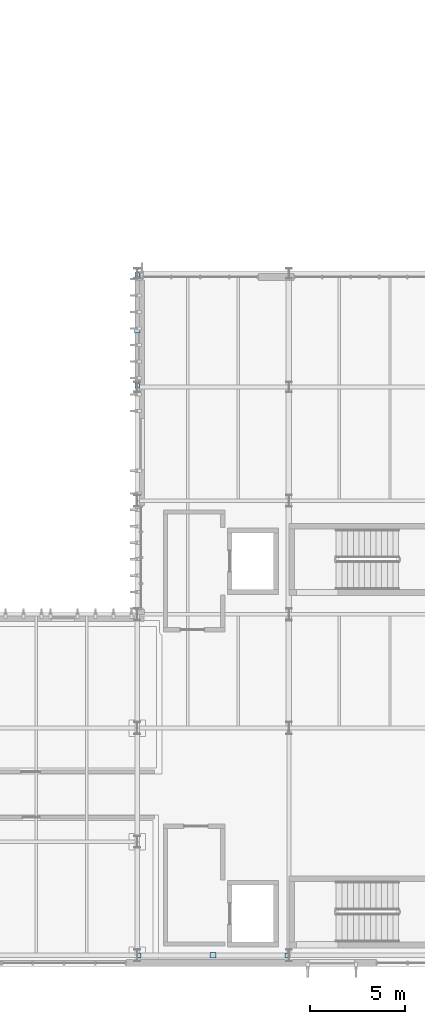
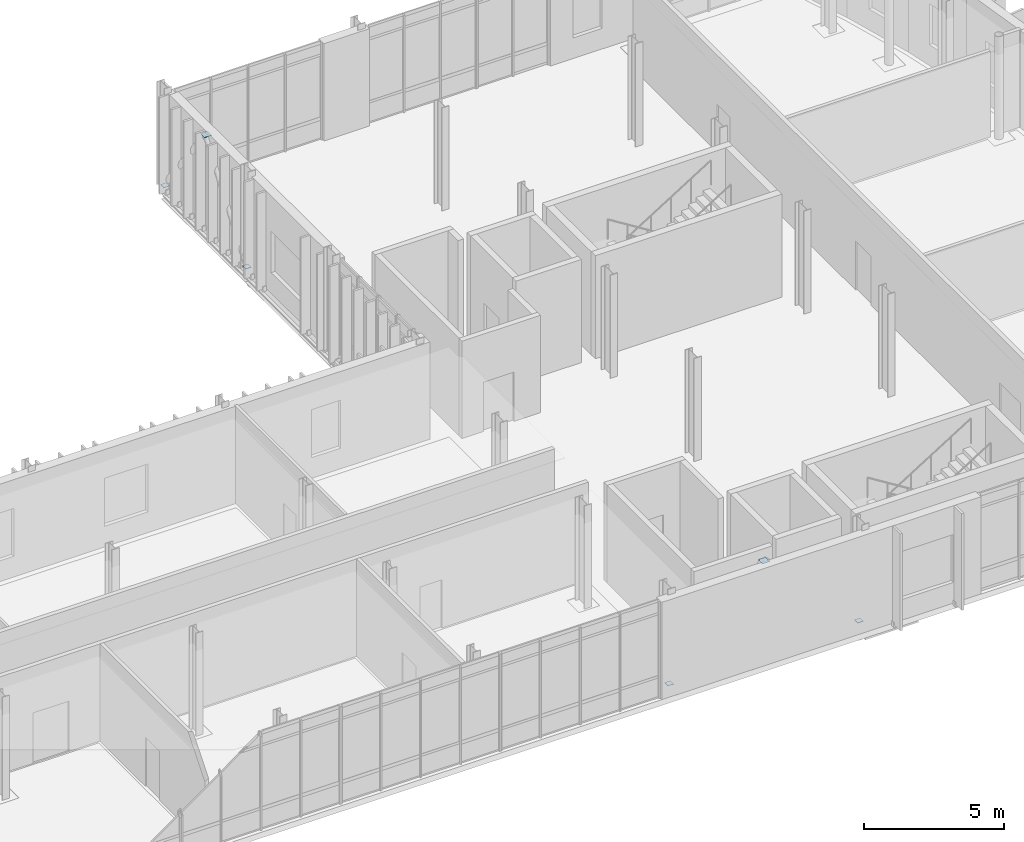
# One storey, part 64 of 100: 6 plates.
"""IFC4 building model written with IfcOpenShell, lengths in metres."""

import ifcopenshell
import ifcopenshell.guid

model = None  # the IFC model being written
_history = None  # IfcOwnerHistory: only IFC2X3 demands one
_inside = {}  # id of a spatial element -> (the spatial element, [elements in it])
_under = {}  # id of a project, library or spatial element -> (it, [spatial elements below it])
_declared = {}  # id of a project -> (the project, [libraries it declares])
_typed = {}  # id of a type object -> (the type object, [elements of that type])
_made_of = {}  # id of a material, layer set ... -> (it, [elements and type objects made of it])


def new_model(schema):
    """Start an empty IFC model of exactly this schema.

    Asked for "IFC4X3", IfcOpenShell would pick the latest addendum, in which some entities
    have other attributes; the version numbers below select the first issue.
    IFC2X3 requires an IfcOwnerHistory on every rooted entity: one is made here for all.
    """
    global model, _history
    if schema == "IFC4X3":
        model = ifcopenshell.file(schema_version=(4, 3, 0, 0))
    else:
        model = ifcopenshell.file(schema=schema)
    _inside.clear()
    _under.clear()
    _declared.clear()
    _typed.clear()
    _made_of.clear()
    _history = None
    if model.schema == "IFC2X3":
        org = make("IfcOrganization", Name="unknown")
        user = make(
            "IfcPersonAndOrganization",
            ThePerson=make("IfcPerson", FamilyName="unknown"),
            TheOrganization=org,
        )
        app = make(
            "IfcApplication",
            ApplicationDeveloper=org,
            Version="unknown",
            ApplicationFullName="unknown",
            ApplicationIdentifier="unknown",
        )
        _history = make(
            "IfcOwnerHistory",
            OwningUser=user,
            OwningApplication=app,
            ChangeAction="ADDED",
            CreationDate=0,
        )
    return model


def make(cls, **values):
    """One entity of the class cls with the attributes given. An attribute that is None is left unset."""
    return model.create_entity(
        cls, **{name: value for name, value in values.items() if value is not None}
    )


def rooted(cls, **values):
    """An entity with a GlobalId (a new one), such as an element, a storey or a relation."""
    return make(cls, GlobalId=ifcopenshell.guid.new(), OwnerHistory=_history, **values)


def si_unit(unit_type, name, prefix=None):
    """IfcSIUnit, for example si_unit("LENGTHUNIT", "METRE", prefix="MILLI")."""
    return make("IfcSIUnit", UnitType=unit_type, Prefix=prefix, Name=name)


def assignment(units):
    """IfcUnitAssignment: the units of a project."""
    return None if units is None else make("IfcUnitAssignment", Units=units)


def point(xyz):
    """IfcCartesianPoint."""
    return None if xyz is None else make("IfcCartesianPoint", Coordinates=xyz)


def direction(xyz):
    """IfcDirection."""
    return None if xyz is None else make("IfcDirection", DirectionRatios=xyz)


def frame(location, z_axis=None, x_axis=None):
    """IfcAxis2Placement3D, a coordinate frame: its origin and axes. An axis left out is left unset."""
    return make(
        "IfcAxis2Placement3D",
        Location=point(location),
        Axis=direction(z_axis),
        RefDirection=direction(x_axis),
    )


def frame_2d(location, x_axis=None):
    """IfcAxis2Placement2D, a coordinate frame in the plane: its origin and x axis."""
    return make(
        "IfcAxis2Placement2D", Location=point(location), RefDirection=direction(x_axis)
    )


def origin():
    """The frame at (0, 0, 0) with its axes left unset."""
    return frame((0.0, 0.0, 0.0))


def origin_2d():
    """The frame at (0, 0) in the plane with its x axis left unset."""
    return frame_2d((0.0, 0.0))


def place(relative_to, where):
    """IfcLocalPlacement: puts the frame where relative to a parent placement (None: the world)."""
    return make(
        "IfcLocalPlacement", PlacementRelTo=relative_to, RelativePlacement=where
    )


def context(
    kind, dimensions, precision=None, world=None, true_north=None, identifier=None
):
    """IfcGeometricRepresentationContext, for example the 3D "Model" context."""
    return make(
        "IfcGeometricRepresentationContext",
        ContextIdentifier=identifier,
        ContextType=kind,
        CoordinateSpaceDimension=dimensions,
        Precision=precision,
        WorldCoordinateSystem=world,
        TrueNorth=true_north,
    )


def subcontext(parent, identifier, kind, view, scale=None):
    """IfcGeometricRepresentationSubContext, for example "Body" below "Model"."""
    return make(
        "IfcGeometricRepresentationSubContext",
        ContextIdentifier=identifier,
        ContextType=kind,
        ParentContext=parent,
        TargetScale=scale,
        TargetView=view,
    )


def project(units=None, contexts=None):
    """IfcProject with its units and contexts."""
    return rooted(
        "IfcProject",
        Name="project",
        RepresentationContexts=contexts,
        UnitsInContext=assignment(units),
    )


def spatial(cls, under=None, at=None, **own):
    """A site, building, storey or space (cls), placed at a placement, below another one or the project."""
    s = rooted(cls, ObjectPlacement=at, **own)
    if under is not None:
        _under.setdefault(under.id(), (under, []))[1].append(s)
    return s


def profile(cls, at=None, kind="AREA", **sizes):
    """A parametric profile (cls). Its sizes go by their IFC names, for example OverallWidth=200.0."""
    return make(cls, ProfileType=kind, Position=at, **sizes)


def rectangle(**sizes):
    """IfcRectangleProfileDef."""
    return profile("IfcRectangleProfileDef", **sizes)


def extrude(swept, where, along, depth):
    """IfcExtrudedAreaSolid: the profile swept, set in the frame where, extruded along a direction by depth."""
    return make(
        "IfcExtrudedAreaSolid",
        SweptArea=swept,
        Position=where,
        ExtrudedDirection=direction(along),
        Depth=depth,
    )


def shape(context_of_items, identifier, shape_type, items):
    """IfcShapeRepresentation: the items that make up one representation, for example the "Body"."""
    return make(
        "IfcShapeRepresentation",
        ContextOfItems=context_of_items,
        RepresentationIdentifier=identifier,
        RepresentationType=shape_type,
        Items=items,
    )


def material(Name=None, Category=None):
    """IfcMaterial."""
    return make("IfcMaterial", Name=Name, Category=Category)


def layer(
    of_material, thickness, ventilated=None, Name=None, Category=None, Priority=None
):
    """IfcMaterialLayer: one layer of a wall or slab, of a material (None: an air gap)."""
    return make(
        "IfcMaterialLayer",
        Material=of_material,
        LayerThickness=thickness,
        IsVentilated=ventilated,
        Name=Name,
        Category=Category,
        Priority=Priority,
    )


def layer_set(layers, Name=None):
    """IfcMaterialLayerSet."""
    return make("IfcMaterialLayerSet", MaterialLayers=layers, LayerSetName=Name)


def made_of(thing, what):
    """Note that an element or type object is made of a material, layer set ...; save() writes the relation."""
    if what is not None:
        _made_of.setdefault(what.id(), (what, []))[1].append(thing)
    return thing


def type_object(cls, material=None, **own):
    """A type object (cls), such as IfcWallType, which elements share."""
    return made_of(rooted(cls, **own), material)


def element(
    cls,
    number,
    at=None,
    inside=None,
    cuts=None,
    type_object=None,
    material=None,
    context=None,
    identifier="Body",
    shape_type=None,
    held_by="IfcProductDefinitionShape",
    body=None,
    shapes=None,
    **own,
):
    """One element of the class cls, such as IfcWall. Its Tag is "e" and its number.

    at: its placement. inside: the storey or other place that contains it. cuts: it is an
    opening in that element (IfcRelVoidsElement). A single representation is given by context,
    identifier, shape_type and body (its items); several are given by shapes. held_by: the class
    of the entity that holds the representations. save() writes the other relations.
    """
    e = rooted(cls, Tag="e%d" % number, ObjectPlacement=at, **own)
    if body is not None:
        shapes = [shape(context, identifier, shape_type, body)]
    if shapes is not None:
        e.Representation = make(held_by, Representations=shapes)
    if inside is not None:
        _inside.setdefault(inside.id(), (inside, []))[1].append(e)
    if cuts is not None:
        rooted(
            "IfcRelVoidsElement", RelatingBuildingElement=cuts, RelatedOpeningElement=e
        )
    if type_object is not None:
        _typed.setdefault(type_object.id(), (type_object, []))[1].append(e)
    return made_of(e, material)


def aggregate(whole, parts):
    """IfcRelAggregates: a whole, such as a stair, and the parts it consists of."""
    return rooted("IfcRelAggregates", RelatingObject=whole, RelatedObjects=parts)


def save(model, path):
    """Write the relations noted so far, then the file.

    IfcRelAggregates (storeys below a building ...), IfcRelContainedInSpatialStructure (elements
    in a storey), IfcRelDefinesByType, IfcRelAssociatesMaterial and IfcRelDeclares: one each for
    every whole, place, type object, material and project.
    """
    for whole, parts in _under.values():
        aggregate(whole, parts)
    for where, things in _inside.values():
        rooted(
            "IfcRelContainedInSpatialStructure",
            RelatedElements=things,
            RelatingStructure=where,
        )
    for kind, things in _typed.values():
        rooted("IfcRelDefinesByType", RelatedObjects=things, RelatingType=kind)
    for what, things in _made_of.values():
        rooted("IfcRelAssociatesMaterial", RelatedObjects=things, RelatingMaterial=what)
    for by, libraries in _declared.values():
        rooted("IfcRelDeclares", RelatingContext=by, RelatedDefinitions=libraries)
    model.write(path)


model = new_model("IFC4")

# Units and contexts
model_context = context("Model", 3, precision=1e-05, world=origin(), true_north=direction((0.0, 1.0)))
body_context = subcontext(model_context, "Body", "Model", "MODEL_VIEW")
ifc_project = project(units=[si_unit("LENGTHUNIT", "METRE"), si_unit("AREAUNIT", "SQUARE_METRE"), si_unit("VOLUMEUNIT", "CUBIC_METRE"), si_unit("PLANEANGLEUNIT", "RADIAN"), si_unit("MASSUNIT", "GRAM", prefix="KILO")], contexts=[model_context])

# Site, building, storey
site_placement = place(None, origin())
site = spatial("IfcSite", under=ifc_project, at=site_placement, CompositionType="ELEMENT")
building_placement = place(site_placement, origin())
building = spatial("IfcBuilding", under=site, at=building_placement, Name="Cymarion Research Institute", CompositionType="ELEMENT")
storey_placement = place(building_placement, frame((0.0, 0.0, 4.800048828125)))
storey = spatial("IfcBuildingStorey", under=building, at=storey_placement, Name="L01", CompositionType="ELEMENT", Elevation=4.800048828125)

# Plates
ifc_material = material(Name="Steel S355", Category="steel")
ifc_layer_1 = layer(ifc_material, 0.01806640625)
ifc_layer_set_1 = layer_set([ifc_layer_1], Name="Steel S355")
plate_type_1 = type_object("IfcPlateType", Name="STEEL NODE GUSSET PLATE CP01 18MM", PredefinedType="USERDEFINED", material=ifc_layer_set_1)
for number, where, z_axis, x_axis, name in (
    (1, (142.60009765625, 5.5, 4.100830078125), (0.0, 0.0, 1.0), (1.0, 0.0, 0.0), "L01 V1 chevron apex gusset plate"),
    (2, (138.60009765625, 38.5, 4.100830078125), (0.0, 0.0, 1.0), (1.0, 0.0, 0.0), "L01 V1 chevron apex gusset plate"),
):
    element("IfcPlate", number, at=place(storey_placement, frame(where, z_axis=z_axis, x_axis=x_axis)), inside=storey, type_object=plate_type_1, Name=name, ObjectType="GUSSET PLATE", PredefinedType="USERDEFINED", context=body_context, shape_type="SweptSolid", body=[
        extrude(rectangle(XDim=0.300048828125, YDim=0.300048828125, at=origin_2d()), origin(), (0.0, 0.0, 1.0), 0.01806640625),
    ])
ifc_layer_2 = layer(ifc_material, 0.011962890625)
ifc_layer_set_2 = layer_set([ifc_layer_2], Name="Steel S355")
plate_type_2 = type_object("IfcPlateType", Name="STEEL NODE GUSSET PLATE CP02 12MM", PredefinedType="USERDEFINED", material=ifc_layer_set_2)
for number, where, z_axis, x_axis, name in (
    (3, (138.68505859375, 5.5, 0.11376953125), (0.0, 0.0, 1.0), (1.0, 0.0, 0.0), "L01 V1 chevron base gusset plate #1"),
    (4, (146.514892578125, 5.5, 0.11376953125), (0.0, 0.0, 1.0), (1.0, 0.0, 0.0), "L01 V1 chevron base gusset plate #2"),
    (5, (138.60009765625, 35.572021484375, 0.11376953125), (0.0, 0.0, 1.0), (1.0, 0.0, 0.0), "L01 V1 chevron base gusset plate #1"),
    (6, (138.60009765625, 41.427978515625, 0.11376953125), (0.0, 0.0, 1.0), (1.0, 0.0, 0.0), "L01 V1 chevron base gusset plate #2"),
):
    element("IfcPlate", number, at=place(storey_placement, frame(where, z_axis=z_axis, x_axis=x_axis)), inside=storey, type_object=plate_type_2, Name=name, ObjectType="GUSSET PLATE", PredefinedType="USERDEFINED", context=body_context, shape_type="SweptSolid", body=[
        extrude(rectangle(XDim=0.239990234375, YDim=0.239990234375, at=origin_2d()), origin(), (0.0, 0.0, 1.0), 0.011962890625),
    ])

save(model, "model.ifc")
